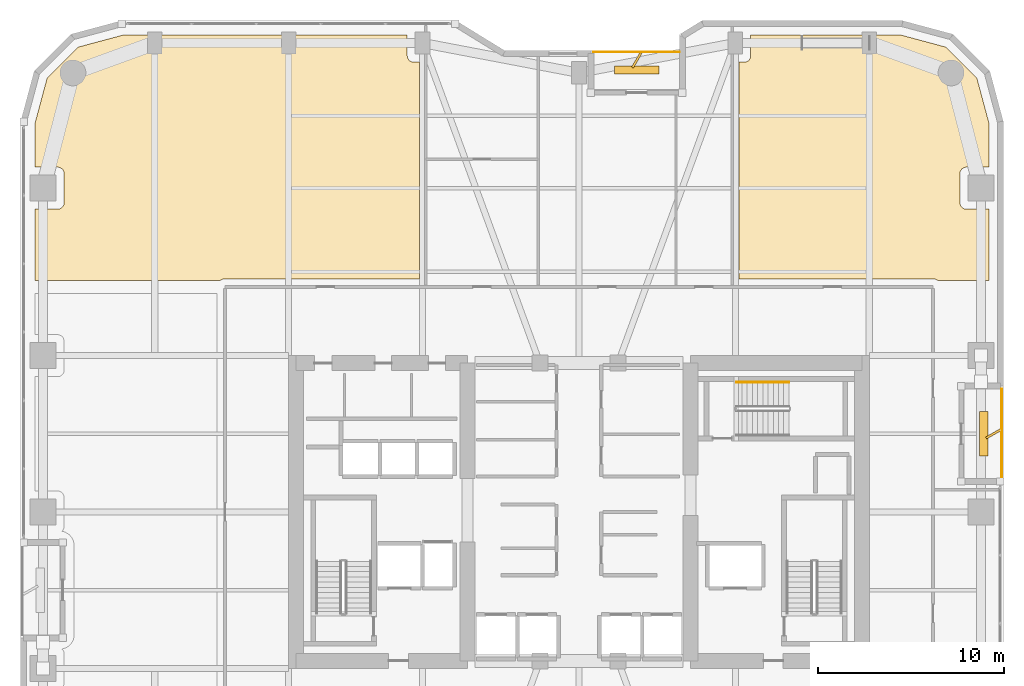
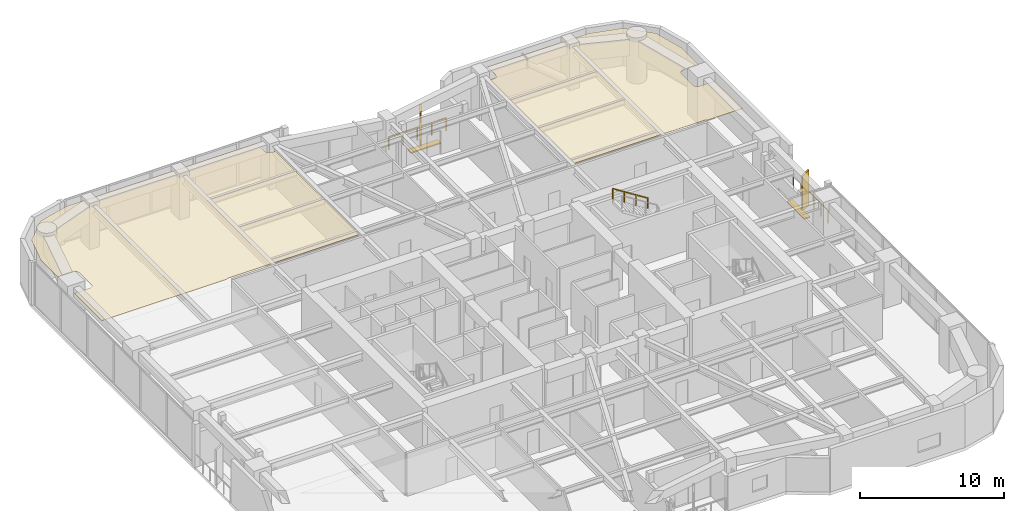
# One storey, part 24 of 24: 4 shading devices, 3 railings, 2 coverings.
"""IFC4 building model written with IfcOpenShell, lengths in metres."""

from ifc_helpers import new_model, si_unit, direction, frame, origin, origin_2d, place, context, subcontext, project, spatial, polyline, rectangle, outline, extrude, material, layer, layer_set, type_object, element, save


model = new_model("IFC4")

# Units and contexts
model_context = context("Model", 3, precision=1e-05, world=origin(), true_north=direction((0.0, 1.0)))
body_context = subcontext(model_context, "Body", "Model", "MODEL_VIEW")
ifc_project = project(units=[si_unit("LENGTHUNIT", "METRE"), si_unit("AREAUNIT", "SQUARE_METRE"), si_unit("VOLUMEUNIT", "CUBIC_METRE"), si_unit("PLANEANGLEUNIT", "RADIAN"), si_unit("MASSUNIT", "GRAM", prefix="KILO")], contexts=[model_context])

# Site, building, storey
site_placement = place(None, origin())
site = spatial("IfcSite", under=ifc_project, at=site_placement, CompositionType="ELEMENT")
building_placement = place(site_placement, origin())
building = spatial("IfcBuilding", under=site, at=building_placement, Name="Kiyonajd Concourse Tower", CompositionType="ELEMENT")
storey_placement = place(building_placement, frame((0.0, 0.0, 101.39990234375)))
storey = spatial("IfcBuildingStorey", under=building, at=storey_placement, Name="L26", CompositionType="ELEMENT", Elevation=101.39990234375)

# Coverings
ifc_material_1 = material(Name="Natural Oak Acoustic Timber Veneer", Category="wood")
ifc_layer = layer(ifc_material_1, 0.0400390625)
ifc_layer_set = layer_set([ifc_layer], Name="Natural Oak Acoustic Timber Veneer")
covering_type = type_object("IfcCoveringType", Name="CV-CLG-ACST", PredefinedType="CEILING", material=ifc_layer_set)
covering_1_placement = place(storey_placement, frame((0.0, 0.0, 3.460205078125)))
element("IfcCovering", 1, at=covering_1_placement, inside=storey, type_object=covering_type, Name="L26-49 Room Acoustic Ceiling", PredefinedType="CEILING", context=body_context, shape_type="SweptSolid", body=[
    extrude(outline(polyline([(21.097900390625, 60.986083984375), (23.5009765625, 61.6298828125), (38.77001953125, 61.6298828125), (38.77001953125, 60.52001953125), (38.777099609375, 60.451904296875), (38.797119140625, 60.385986328125), (38.84912109375, 60.298095703125), (38.89794921875, 60.2490234375), (38.955078125, 60.2109375), (39.01806640625, 60.18505859375), (39.1201171875, 60.169921875), (39.419921875, 60.169921875), (39.419921875, 48.530029296875), (28.97509765625, 48.530029296875), (28.844970703125, 48.510009765625), (28.781982421875, 48.48388671875), (28.72705078125, 48.449951171875), (18.77001953125, 48.449951171875), (18.77001953125, 52.27001953125), (19.97998046875, 52.27001953125), (20.048095703125, 52.277099609375), (20.14501953125, 52.31103515625), (20.201904296875, 52.34912109375), (20.2509765625, 52.39794921875), (20.2890625, 52.455078125), (20.31494140625, 52.51806640625), (20.330078125, 52.6201171875), (20.330078125, 54.179931640625), (20.31494140625, 54.281982421875), (20.2890625, 54.344970703125), (20.2509765625, 54.402099609375), (20.201904296875, 54.450927734375), (20.14501953125, 54.489013671875), (20.08203125, 54.514892578125), (20.013916015625, 54.528076171875), (18.77001953125, 54.530029296875), (18.77001953125, 56.89892578125), (19.4140625, 59.302001953125), (21.097900390625, 60.986083984375)])), origin(), (0.0, 0.0, 1.0), 0.039794921875),
])
covering_2_placement = place(storey_placement, frame((0.0, 0.0, 3.460205078125)))
element("IfcCovering", 2, at=covering_2_placement, inside=storey, type_object=covering_type, Name="L26-54 Room Acoustic Ceiling", PredefinedType="CEILING", context=body_context, shape_type="SweptSolid", body=[
    extrude(outline(polyline([(57.22998046875, 61.6298828125), (65.299072265625, 61.6298828125), (67.701904296875, 60.986083984375), (69.385986328125, 59.302001953125), (70.030029296875, 56.89892578125), (70.030029296875, 54.530029296875), (68.785888671875, 54.528076171875), (68.718017578125, 54.514892578125), (68.655029296875, 54.489013671875), (68.597900390625, 54.450927734375), (68.549072265625, 54.402099609375), (68.510986328125, 54.344970703125), (68.485107421875, 54.281982421875), (68.469970703125, 54.179931640625), (68.471923828125, 52.5859375), (68.4970703125, 52.486083984375), (68.549072265625, 52.39794921875), (68.597900390625, 52.34912109375), (68.655029296875, 52.31103515625), (68.751953125, 52.277099609375), (68.820068359375, 52.27001953125), (70.030029296875, 52.27001953125), (70.030029296875, 48.449951171875), (67.27294921875, 48.449951171875), (67.218017578125, 48.48388671875), (67.155029296875, 48.510009765625), (67.02490234375, 48.530029296875), (56.60009765625, 48.530029296875), (56.60009765625, 60.169921875), (56.9140625, 60.172119140625), (57.013916015625, 60.197021484375), (57.073974609375, 60.22900390625), (57.126953125, 60.27294921875), (57.1708984375, 60.325927734375), (57.202880859375, 60.385986328125), (57.222900390625, 60.451904296875), (57.22998046875, 60.52001953125), (57.22998046875, 61.6298828125)])), origin(), (0.0, 0.0, 1.0), 0.039794921875),
])

# Railings
ifc_material_2 = material(Name="Thermally Broken Anodised Aluminium", Category="aluminium")
railing_type_1 = type_object("IfcRailingType", Name="RL-GRD-LOG", PredefinedType="GUARDRAIL", material=ifc_material_2)
railing_1_placement = place(storey_placement, frame((53.39990234375, 60.719970703125, 0.0)))
element("IfcRailing", 3, at=railing_1_placement, inside=storey, type_object=railing_type_1, Name="L26 Engawa Loggia Perimeter Guard LOG-N", PredefinedType="GUARDRAIL", context=body_context, shape_type="SweptSolid", body=[
    extrude(rectangle(XDim=0.048095703125, YDim=0.048095703125, at=origin_2d()), frame((0.0, 0.0, 1.076171875), z_axis=(-1.0, 0.0, 0.0), x_axis=(0.0, -1.0, 0.0)), (0.0, 0.0, 1.0), 4.599853515625),
    extrude(rectangle(XDim=0.0419921875, YDim=0.0419921875, at=origin_2d()), origin(), (0.0, 0.0, 1.0), 1.052001953125),
    extrude(rectangle(XDim=0.0419921875, YDim=0.0419921875, at=origin_2d()), frame((-1.14990234375, 0.0, 0.0)), (0.0, 0.0, 1.0), 1.052001953125),
    extrude(rectangle(XDim=0.0419921875, YDim=0.0419921875, at=origin_2d()), frame((-2.2998046875, 0.0, 0.0)), (0.0, 0.0, 1.0), 1.052001953125),
    extrude(rectangle(XDim=0.0419921875, YDim=0.0419921875, at=origin_2d()), frame((-3.449951171875, 0.0, 0.0)), (0.0, 0.0, 1.0), 1.052001953125),
    extrude(rectangle(XDim=0.0419921875, YDim=0.0419921875, at=origin_2d()), frame((-4.599853515625, 0.0, 0.0)), (0.0, 0.0, 1.0), 1.052001953125),
])
railing_2_placement = place(storey_placement, frame((70.719970703125, 37.800048828125, 0.0)))
element("IfcRailing", 4, at=railing_2_placement, inside=storey, type_object=railing_type_1, Name="L26 Engawa Loggia Perimeter Guard LOG-E", PredefinedType="GUARDRAIL", context=body_context, shape_type="SweptSolid", body=[
    extrude(rectangle(XDim=0.048095703125, YDim=0.048095703125, at=origin_2d()), frame((0.0, 0.0, 1.076171875), z_axis=(0.0, 1.0, 0.0), x_axis=(-1.0, 0.0, 0.0)), (0.0, 0.0, 1.0), 4.800048828125),
    extrude(rectangle(XDim=0.0419921875, YDim=0.0419921875, at=origin_2d()), origin(), (0.0, 0.0, 1.0), 1.052001953125),
    extrude(rectangle(XDim=0.0419921875, YDim=0.0419921875, at=origin_2d()), frame((0.0, 0.9599609375, 0.0)), (0.0, 0.0, 1.0), 1.052001953125),
    extrude(rectangle(XDim=0.0419921875, YDim=0.0419921875, at=origin_2d()), frame((0.0, 1.919921875, 0.0)), (0.0, 0.0, 1.0), 1.052001953125),
    extrude(rectangle(XDim=0.0419921875, YDim=0.0419921875, at=origin_2d()), frame((0.0, 2.880126953125, 0.0)), (0.0, 0.0, 1.0), 1.052001953125),
    extrude(rectangle(XDim=0.0419921875, YDim=0.0419921875, at=origin_2d()), frame((0.0, 3.840087890625, 0.0)), (0.0, 0.0, 1.0), 1.052001953125),
    extrude(rectangle(XDim=0.0419921875, YDim=0.0419921875, at=origin_2d()), frame((0.0, 4.800048828125, 0.0)), (0.0, 0.0, 1.0), 1.052001953125),
])
ifc_material_3 = material(Name="Brushed Stainless Steel Cab Assembly", Category="steel")
railing_type_2 = type_object("IfcRailingType", Name="RL-HND-900", PredefinedType="HANDRAIL", material=ifc_material_3)
railing_3_placement = place(storey_placement, frame((59.280029296875, 42.969970703125, 2.12744140625)))
element("IfcRailing", 5, at=railing_3_placement, inside=storey, type_object=railing_type_2, Name="L26 ST3 stair handrail 2", PredefinedType="HANDRAIL", context=body_context, shape_type="SweptSolid", body=[
    extrude(rectangle(XDim=0.048095703125, YDim=0.048095703125, at=origin_2d()), frame((0.0, 0.0, 0.8759765625), z_axis=(-0.844908973607, 0.0, 0.534910110503), x_axis=(0.0, -1.0, 0.0)), (0.0, 0.0, 1.0), 3.31396484375),
    extrude(rectangle(XDim=0.0419921875, YDim=0.0419921875, at=origin_2d()), origin(), (0.0, 0.0, 1.0), 0.851806640625),
    extrude(rectangle(XDim=0.0419921875, YDim=0.0419921875, at=origin_2d()), frame((-0.933349609375, 0.0, 0.5908203125)), (0.0, 0.0, 1.0), 0.851806640625),
    extrude(rectangle(XDim=0.0419921875, YDim=0.0419921875, at=origin_2d()), frame((-1.86669921875, 0.0, 1.181884765625)), (0.0, 0.0, 1.0), 0.851806640625),
    extrude(rectangle(XDim=0.0419921875, YDim=0.0419921875, at=origin_2d()), frame((-2.800048828125, 0.0, 1.772705078125)), (0.0, 0.0, 1.0), 0.851806640625),
])

# Shading devices
ifc_material_4 = material(Name="Precast concrete C50/60", Category="concrete")
shading_device_type_1 = type_object("IfcShadingDeviceType", Name="SH-FIN-900", PredefinedType="USERDEFINED", material=ifc_material_4)
for number, where, z_axis, x_axis, name in (
    (6, (51.10009765625, 60.27001953125, 0.0), (0.0, 0.0, 1.0), (0.5, 0.866025403784, 0.0), "L26 Angled Koshi Solar Fin LOG-N"),
    (7, (70.27001953125, 40.199951171875, 0.0), (0.0, 0.0, 1.0), (0.866025403784, 0.5, 0.0), "L26 Angled Koshi Solar Fin LOG-E"),
):
    element("IfcShadingDevice", number, at=place(storey_placement, frame(where, z_axis=z_axis, x_axis=x_axis)), inside=storey, type_object=shading_device_type_1, Name=name, ObjectType="FIN", PredefinedType="USERDEFINED", context=body_context, shape_type="SweptSolid", body=[
        extrude(rectangle(XDim=0.89990234375, YDim=0.1201171875, at=origin_2d()), origin(), (0.0, 0.0, 1.0), 3.0),
    ])
shading_device_type_2 = type_object("IfcShadingDeviceType", Name="SH-LVR-600", PredefinedType="JALOUSIE", material=ifc_material_2)
for number, where, z_axis, x_axis, name in (
    (8, (51.10009765625, 59.75, 0.0), (0.0, 0.0, 1.0), (1.0, 0.0, 0.0), "L26 Loggia Threshold Louver LOG-N"),
    (9, (69.75, 40.199951171875, 0.0), (0.0, 0.0, 1.0), (0.0, 1.0, 0.0), "L26 Loggia Threshold Louver LOG-E"),
):
    element("IfcShadingDevice", number, at=place(storey_placement, frame(where, z_axis=z_axis, x_axis=x_axis)), inside=storey, type_object=shading_device_type_2, Name=name, PredefinedType="JALOUSIE", context=body_context, shape_type="SweptSolid", body=[
        extrude(rectangle(XDim=2.39990234375, YDim=0.449951171875, at=origin_2d()), origin(), (0.0, 0.0, 1.0), 0.10009765625),
    ])

save(model, "model.ifc")
